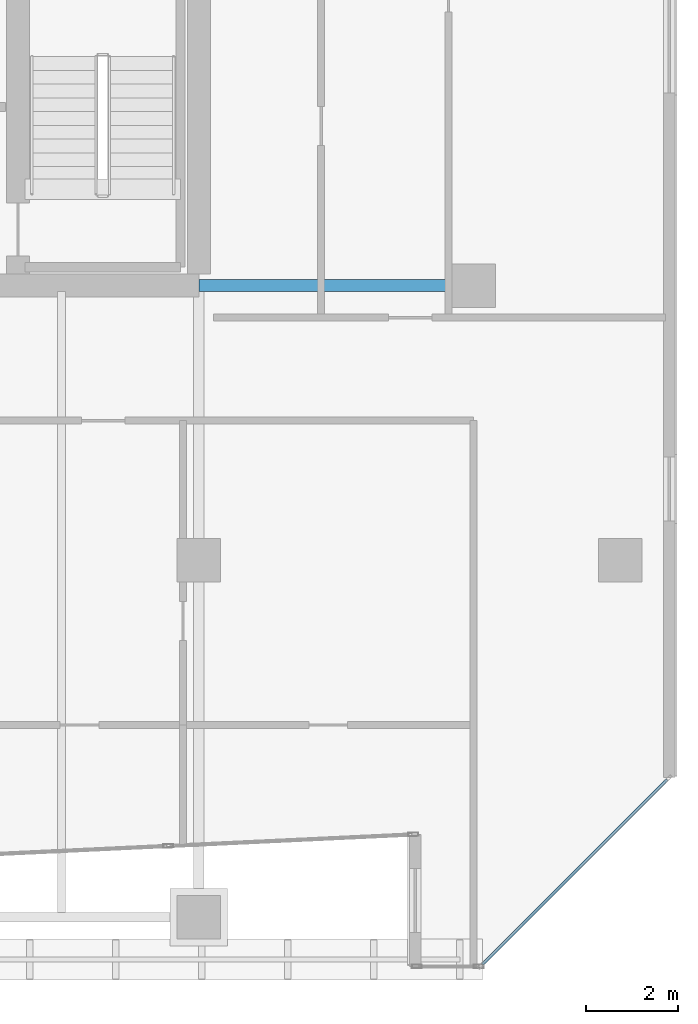
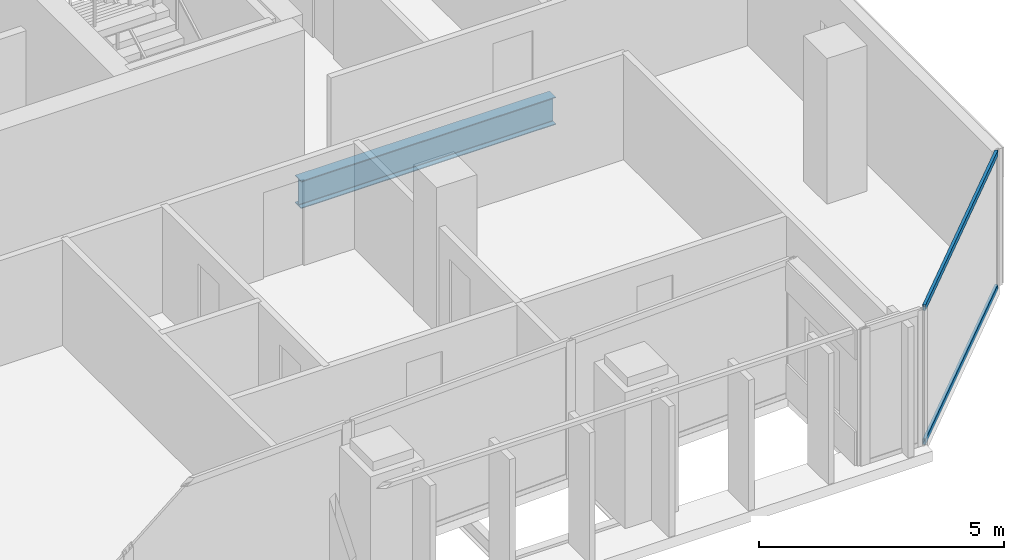
# One storey, part 21 of 39: 2 members, 1 beam, 1 element without a shape of its own.
"""IFC4 building model written with IfcOpenShell, lengths in metres."""

from ifc_helpers import new_model, si_unit, direction, frame, origin, origin_2d, place, context, subcontext, project, spatial, hollow_rectangle, i_section, extrude, material, layer, layer_set, material_profile, profile_set, type_object, element, aggregate, save


model = new_model("IFC4")

# Units and contexts
model_context = context("Model", 3, precision=1e-05, world=origin(), true_north=direction((0.0, 1.0)))
body_context = subcontext(model_context, "Body", "Model", "MODEL_VIEW")
ifc_project = project(units=[si_unit("LENGTHUNIT", "METRE"), si_unit("AREAUNIT", "SQUARE_METRE"), si_unit("VOLUMEUNIT", "CUBIC_METRE"), si_unit("PLANEANGLEUNIT", "RADIAN"), si_unit("MASSUNIT", "GRAM", prefix="KILO")], contexts=[model_context])

# Site, building, storey
site_placement = place(None, origin())
site = spatial("IfcSite", under=ifc_project, at=site_placement, CompositionType="ELEMENT")
building_placement = place(site_placement, origin())
building = spatial("IfcBuilding", under=site, at=building_placement, Name="Tanjung Sevakor Pilgrim Tower", CompositionType="ELEMENT")
storey_placement = place(building_placement, frame((0.0, 0.0, 112.199951171875)))
storey = spatial("IfcBuildingStorey", under=building, at=storey_placement, Name="L31", CompositionType="ELEMENT", Elevation=112.199951171875)

# Beam
ifc_material_1 = material(Name="Steel S355J2", Category="steel")
ifc_material_profile_1 = material_profile(ifc_material_1, i_section(OverallWidth=0.25439453125, OverallDepth=0.6875, WebThickness=0.01318359375, FlangeThickness=0.02099609375, FilletRadius=0.01513671875, at=origin_2d()))
ifc_profile_set_1 = profile_set([ifc_material_profile_1], Name="Steel S355J2")
beam_type = type_object("IfcBeamType", Name="BM-B-G2-UB_686x254x152", PredefinedType="BEAM", material=ifc_profile_set_1)
beam_placement = place(storey_placement, frame((90.0, 24.60009765625, -0.563720703125), z_axis=(1.0, 0.0, 0.0), x_axis=(0.0, 1.0, 0.0)))
element("IfcBeam", 1, at=beam_placement, inside=storey, type_object=beam_type, Name="L31 Primary Floor Girder MAIN Y246-09", PredefinedType="BEAM", context=body_context, shape_type="SweptSolid", body=[
    extrude(i_section(OverallWidth=0.25439453125, OverallDepth=0.6875, WebThickness=0.01318359375, FlangeThickness=0.02099609375, FilletRadius=0.01513671875, at=origin_2d()), origin(), (0.0, 0.0, 1.0), 6.0),
])

# Curtain wall, members
ifc_material_2 = material(Name="Aluminium 6063-T6 and Low-E Glass", Category="aluminium")
ifc_layer = layer(ifc_material_2, 0.179931640625)
ifc_layer_set = layer_set([ifc_layer], Name="CW-SYS-CHAM")
curtain_wall_type = type_object("IfcCurtainWallType", Name="CW-SYS-CHAM", PredefinedType="NOTDEFINED", material=ifc_layer_set)
curtain_wall_placement = place(storey_placement, origin())
curtain_wall = element("IfcCurtainWall", 2, at=curtain_wall_placement, inside=storey, type_object=curtain_wall_type, Name="L31 Curtain Wall CW-CHM-L31-MAIN-15", PredefinedType="NOTDEFINED")
ifc_material_3 = material(Name="Aluminium 6063-T6", Category="aluminium")
ifc_material_profile_2 = material_profile(ifc_material_3, hollow_rectangle(XDim=0.06494140625, YDim=0.139892578125, WallThickness=0.00390625, at=origin_2d()))
ifc_profile_set_2 = profile_set([ifc_material_profile_2], Name="Aluminium 6063-T6")
member_type = type_object("IfcMemberType", Name="TYPE-CWT-1", PredefinedType="USERDEFINED", material=ifc_profile_set_2)
member_1_placement = place(storey_placement, frame((96.194091796875, 9.77099609375, 0.032470703125), z_axis=(0.707106781187, 0.707106781187, 0.0), x_axis=(-0.707106781187, 0.707106781187, 0.0)))
member_1 = element("IfcMember", 3, at=member_1_placement, type_object=member_type, Name="CW-CHM transom 1.1", ObjectType="TRANSOM", PredefinedType="USERDEFINED", context=body_context, shape_type="SweptSolid", body=[
    extrude(hollow_rectangle(XDim=0.06494140625, YDim=0.139892578125, WallThickness=0.00390625, at=origin_2d()), origin(), (0.0, 0.0, 1.0), 5.706298828125),
])
member_2_placement = place(storey_placement, frame((96.194091796875, 9.77099609375, 3.37744140625), z_axis=(0.707106781187, 0.707106781187, 0.0), x_axis=(-0.707106781187, 0.707106781187, 0.0)))
member_2 = element("IfcMember", 4, at=member_2_placement, type_object=member_type, Name="CW-CHM transom 1.2", ObjectType="TRANSOM", PredefinedType="USERDEFINED", context=body_context, shape_type="SweptSolid", body=[
    extrude(hollow_rectangle(XDim=0.06494140625, YDim=0.139892578125, WallThickness=0.00390625, at=origin_2d()), origin(), (0.0, 0.0, 1.0), 5.706298828125),
])
aggregate(curtain_wall, [member_1, member_2])

save(model, "model.ifc")
